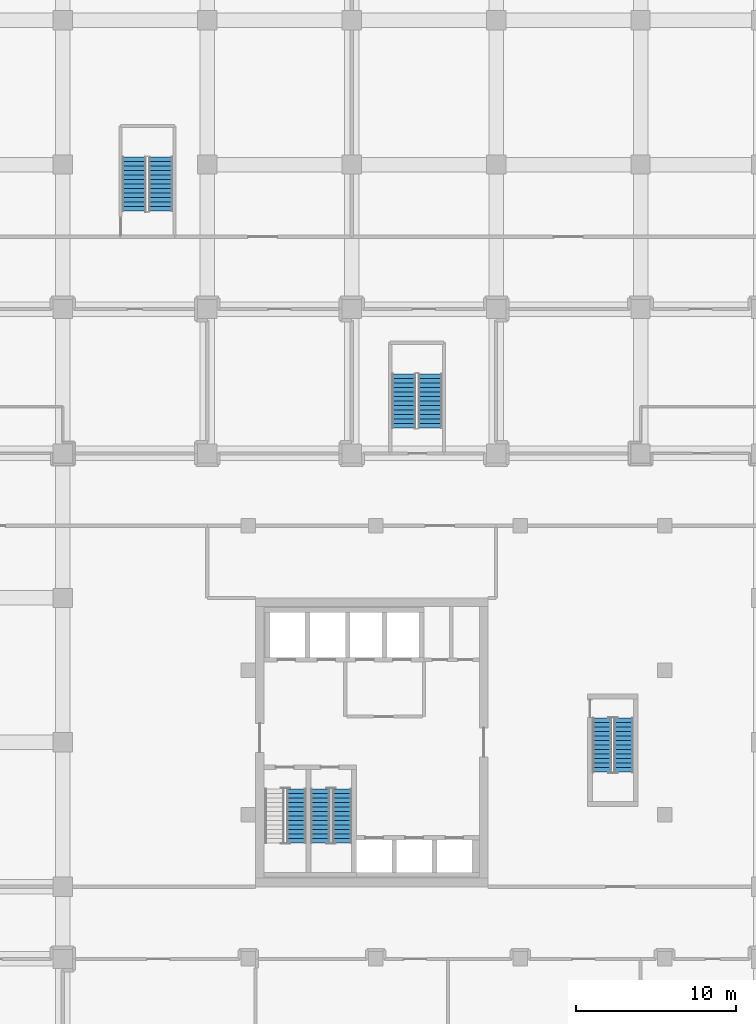
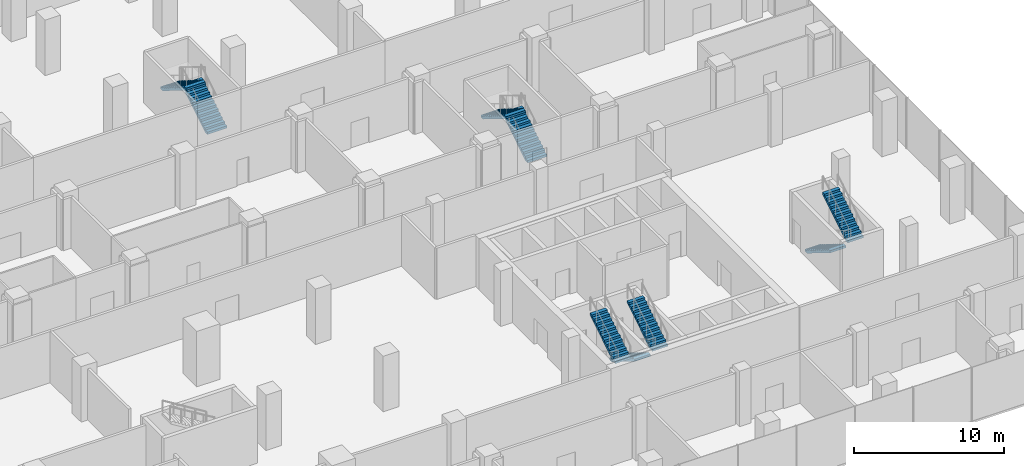
# One storey, part 38 of 43: 9 stair flights, 5 elements without a shape of their own.
"""IFC4 building model written with IfcOpenShell, lengths in metres."""

from ifc_helpers import new_model, si_unit, direction, frame, origin, place, context, subcontext, project, spatial, polyline, outline, extrude, material, type_object, element, aggregate, save


model = new_model("IFC4")

# Units and contexts
model_context = context("Model", 3, precision=1e-05, world=origin(), true_north=direction((0.0, 1.0)))
body_context = subcontext(model_context, "Body", "Model", "MODEL_VIEW")
ifc_project = project(units=[si_unit("LENGTHUNIT", "METRE"), si_unit("AREAUNIT", "SQUARE_METRE"), si_unit("VOLUMEUNIT", "CUBIC_METRE"), si_unit("PLANEANGLEUNIT", "RADIAN"), si_unit("MASSUNIT", "GRAM", prefix="KILO")], contexts=[model_context])

# Site, building, storey
site_placement = place(None, origin())
site = spatial("IfcSite", under=ifc_project, at=site_placement, CompositionType="ELEMENT")
building_placement = place(site_placement, origin())
building = spatial("IfcBuilding", under=site, at=building_placement, Name="Plateau Cross Towers", CompositionType="ELEMENT")
storey_placement = place(building_placement, frame((0.0, 0.0, 17.300048828125)))
storey = spatial("IfcBuildingStorey", under=building, at=storey_placement, Name="L03", CompositionType="ELEMENT", Elevation=17.300048828125)

# Stair, stair flights
ifc_material = material(Name="Concrete C40/50", Category="concrete")
stair_type_1 = type_object("IfcStairType", Name="Podium exit stair 1500", PredefinedType="HALF_TURN_STAIR", material=ifc_material)
stair_1_placement = place(storey_placement, origin())
stair_1 = element("IfcStair", 1, at=stair_1_placement, inside=storey, type_object=stair_type_1, Name="L03 Exit Stair 3", PredefinedType="HALF_TURN_STAIR")
stair_flight_type_1 = type_object("IfcStairFlightType", Name="Podium stair flight 1500", PredefinedType="STRAIGHT", material=ifc_material)
stair_flight_1_placement = place(storey_placement, frame((69.10009765625, 42.10009765625, 0.0), z_axis=(0.0, 0.0, 1.0), x_axis=(0.0, 1.0, 0.0)))
stair_flight_1 = element("IfcStairFlight", 2, at=stair_flight_1_placement, type_object=stair_flight_type_1, Name="PS3 flight 1", NumberOfRisers=13, NumberOfTreads=12, PredefinedType="STRAIGHT", RiserHeight=0.173076923, TreadLength=0.28, context=body_context, shape_type="SweptSolid", body=[
    extrude(outline(polyline([(-0.0048828125, -0.010009765625), (-0.0048828125, 0.0), (0.0, 0.0), (0.0, 0.173095703125), (0.280029296875, 0.173095703125), (0.280029296875, 0.34619140625), (0.56005859375, 0.34619140625), (0.56005859375, 0.519287109375), (0.840087890625, 0.519287109375), (0.840087890625, 0.6923828125), (1.1201171875, 0.6923828125), (1.1201171875, 0.865478515625), (1.39990234375, 0.865478515625), (1.39990234375, 1.03857421875), (1.679931640625, 1.03857421875), (1.679931640625, 1.21142578125), (1.9599609375, 1.21142578125), (1.9599609375, 1.384521484375), (2.239990234375, 1.384521484375), (2.239990234375, 1.5576171875), (2.52001953125, 1.5576171875), (2.52001953125, 1.730712890625), (2.800048828125, 1.730712890625), (2.800048828125, 1.90380859375), (3.080078125, 1.90380859375), (3.080078125, 2.076904296875), (3.360107421875, 2.076904296875), (3.364990234375, 2.06689453125), (3.364990234375, 1.900634765625), (3.360107421875, 1.900634765625), (0.28515625, 0.0), (0.02001953125, 0.0), (0.02001953125, -0.010009765625), (-0.0048828125, -0.010009765625)])), frame((0.0, 0.75, 0.0), z_axis=(0.0, -1.0, 0.0), x_axis=(1.0, 0.0, 0.0)), (0.0, 0.0, 1.0), 1.5),
])
stair_flight_2_placement = place(storey_placement, frame((67.449951171875, 45.4599609375, 2.25), z_axis=(0.0, 0.0, 1.0), x_axis=(0.0, -1.0, 0.0)))
stair_flight_2 = element("IfcStairFlight", 3, at=stair_flight_2_placement, type_object=stair_flight_type_1, Name="PS3 flight 2", NumberOfRisers=13, NumberOfTreads=12, PredefinedType="STRAIGHT", RiserHeight=0.173076923, TreadLength=0.28, context=body_context, shape_type="SweptSolid", body=[
    extrude(outline(polyline([(-0.0048828125, -0.010009765625), (-0.0048828125, 0.0), (0.0, 0.0), (0.0, 0.173095703125), (0.280029296875, 0.173095703125), (0.280029296875, 0.34619140625), (0.56005859375, 0.34619140625), (0.56005859375, 0.519287109375), (0.840087890625, 0.519287109375), (0.840087890625, 0.6923828125), (1.1201171875, 0.6923828125), (1.1201171875, 0.865478515625), (1.39990234375, 0.865478515625), (1.39990234375, 1.03857421875), (1.679931640625, 1.03857421875), (1.679931640625, 1.21142578125), (1.9599609375, 1.21142578125), (1.9599609375, 1.384521484375), (2.239990234375, 1.384521484375), (2.239990234375, 1.5576171875), (2.52001953125, 1.5576171875), (2.52001953125, 1.730712890625), (2.800048828125, 1.730712890625), (2.800048828125, 1.90380859375), (3.080078125, 1.90380859375), (3.080078125, 2.076904296875), (3.360107421875, 2.076904296875), (3.364990234375, 2.06689453125), (3.364990234375, 1.900634765625), (3.360107421875, 1.900634765625), (0.28515625, 0.0), (0.02001953125, 0.0), (0.02001953125, -0.010009765625), (-0.0048828125, -0.010009765625)])), frame((0.0, 0.75, 0.0), z_axis=(0.0, -1.0, 0.0), x_axis=(1.0, 0.0, 0.0)), (0.0, 0.0, 1.0), 1.5),
])
aggregate(stair_1, [stair_flight_1, stair_flight_2])

stair_2_placement = place(storey_placement, origin())
stair_2 = element("IfcStair", 4, at=stair_2_placement, inside=storey, type_object=stair_type_1, Name="L03 Exit Stair 5", PredefinedType="HALF_TURN_STAIR")
stair_flight_3_placement = place(storey_placement, frame((85.89990234375, 28.60009765625, 0.0), z_axis=(0.0, 0.0, 1.0), x_axis=(0.0, 1.0, 0.0)))
stair_flight_3 = element("IfcStairFlight", 5, at=stair_flight_3_placement, type_object=stair_flight_type_1, Name="PS5 flight 1", NumberOfRisers=13, NumberOfTreads=12, PredefinedType="STRAIGHT", RiserHeight=0.173076923, TreadLength=0.28, context=body_context, shape_type="SweptSolid", body=[
    extrude(outline(polyline([(-0.0048828125, -0.010009765625), (-0.0048828125, 0.0), (0.0, 0.0), (0.0, 0.173095703125), (0.280029296875, 0.173095703125), (0.280029296875, 0.34619140625), (0.56005859375, 0.34619140625), (0.56005859375, 0.519287109375), (0.840087890625, 0.519287109375), (0.840087890625, 0.6923828125), (1.1201171875, 0.6923828125), (1.1201171875, 0.865478515625), (1.39990234375, 0.865478515625), (1.39990234375, 1.03857421875), (1.679931640625, 1.03857421875), (1.679931640625, 1.21142578125), (1.9599609375, 1.21142578125), (1.9599609375, 1.384521484375), (2.239990234375, 1.384521484375), (2.239990234375, 1.5576171875), (2.52001953125, 1.5576171875), (2.52001953125, 1.730712890625), (2.800048828125, 1.730712890625), (2.800048828125, 1.90380859375), (3.080078125, 1.90380859375), (3.080078125, 2.076904296875), (3.360107421875, 2.076904296875), (3.364990234375, 2.06689453125), (3.364990234375, 1.900634765625), (3.360107421875, 1.900634765625), (0.28515625, 0.0), (0.02001953125, 0.0), (0.02001953125, -0.010009765625), (-0.0048828125, -0.010009765625)])), frame((0.0, 0.75, 0.0), z_axis=(0.0, -1.0, 0.0), x_axis=(1.0, 0.0, 0.0)), (0.0, 0.0, 1.0), 1.5),
])
stair_flight_4_placement = place(storey_placement, frame((84.25, 31.9599609375, 2.25), z_axis=(0.0, 0.0, 1.0), x_axis=(0.0, -1.0, 0.0)))
stair_flight_4 = element("IfcStairFlight", 6, at=stair_flight_4_placement, type_object=stair_flight_type_1, Name="PS5 flight 2", NumberOfRisers=13, NumberOfTreads=12, PredefinedType="STRAIGHT", RiserHeight=0.173076923, TreadLength=0.28, context=body_context, shape_type="SweptSolid", body=[
    extrude(outline(polyline([(-0.0048828125, -0.010009765625), (-0.0048828125, 0.0), (0.0, 0.0), (0.0, 0.173095703125), (0.280029296875, 0.173095703125), (0.280029296875, 0.34619140625), (0.56005859375, 0.34619140625), (0.56005859375, 0.519287109375), (0.840087890625, 0.519287109375), (0.840087890625, 0.6923828125), (1.1201171875, 0.6923828125), (1.1201171875, 0.865478515625), (1.39990234375, 0.865478515625), (1.39990234375, 1.03857421875), (1.679931640625, 1.03857421875), (1.679931640625, 1.21142578125), (1.9599609375, 1.21142578125), (1.9599609375, 1.384521484375), (2.239990234375, 1.384521484375), (2.239990234375, 1.5576171875), (2.52001953125, 1.5576171875), (2.52001953125, 1.730712890625), (2.800048828125, 1.730712890625), (2.800048828125, 1.90380859375), (3.080078125, 1.90380859375), (3.080078125, 2.076904296875), (3.360107421875, 2.076904296875), (3.364990234375, 2.06689453125), (3.364990234375, 1.900634765625), (3.360107421875, 1.900634765625), (0.28515625, 0.0), (0.02001953125, 0.0), (0.02001953125, -0.010009765625), (-0.0048828125, -0.010009765625)])), frame((0.0, 0.75, 0.0), z_axis=(0.0, -1.0, 0.0), x_axis=(1.0, 0.0, 0.0)), (0.0, 0.0, 1.0), 1.5),
])
aggregate(stair_2, [stair_flight_3, stair_flight_4])

# Stair, stair flight
stair_type_2 = type_object("IfcStairType", Name="ST-TWR", PredefinedType="HALF_TURN_STAIR", material=ifc_material)
stair_3_placement = place(storey_placement, origin())
stair_3 = element("IfcStair", 7, at=stair_3_placement, inside=storey, type_object=stair_type_2, Name="L03 Protected Exit Stair SB-1", PredefinedType="HALF_TURN_STAIR")
stair_flight_type_2 = type_object("IfcStairFlightType", Name="SFL-RC", PredefinedType="STRAIGHT", material=ifc_material)
stair_flight_5_placement = place(storey_placement, frame((77.550048828125, 2.739990234375, 2.25), z_axis=(0.0, 0.0, 1.0), x_axis=(0.0, 1.0, 0.0)))
stair_flight_5 = element("IfcStairFlight", 8, at=stair_flight_5_placement, type_object=stair_flight_type_2, Name="SB-1 flight 2", NumberOfRisers=13, NumberOfTreads=12, PredefinedType="STRAIGHT", RiserHeight=0.173076923, TreadLength=0.28, context=body_context, shape_type="SweptSolid", body=[
    extrude(outline(polyline([(-0.0048828125, -0.010009765625), (-0.0048828125, 0.0), (0.0, 0.0), (0.0, 0.173095703125), (0.280029296875, 0.173095703125), (0.280029296875, 0.34619140625), (0.56005859375, 0.34619140625), (0.56005859375, 0.519287109375), (0.840087890625, 0.519287109375), (0.840087890625, 0.6923828125), (1.1201171875, 0.6923828125), (1.1201171875, 0.865478515625), (1.39990234375, 0.865478515625), (1.39990234375, 1.03857421875), (1.679931640625, 1.03857421875), (1.679931640625, 1.21142578125), (1.9599609375, 1.21142578125), (1.9599609375, 1.384521484375), (2.239990234375, 1.384521484375), (2.239990234375, 1.5576171875), (2.52001953125, 1.5576171875), (2.52001953125, 1.730712890625), (2.800048828125, 1.730712890625), (2.800048828125, 1.90380859375), (3.080078125, 1.90380859375), (3.080078125, 2.076904296875), (3.360107421875, 2.076904296875), (3.364990234375, 2.06689453125), (3.364990234375, 1.900634765625), (3.360107421875, 1.900634765625), (0.28515625, 0.0), (0.02001953125, 0.0), (0.02001953125, -0.010009765625), (-0.0048828125, -0.010009765625)])), frame((0.0, 0.60009765625, 0.0), z_axis=(0.0, -1.0, 0.0), x_axis=(1.0, 0.0, 0.0)), (0.0, 0.0, 1.0), 1.199951171875),
])
aggregate(stair_3, [stair_flight_5])

# Stair, stair flights
stair_4_placement = place(storey_placement, origin())
stair_4 = element("IfcStair", 9, at=stair_4_placement, inside=storey, type_object=stair_type_2, Name="L03 Protected Exit Stair SB-2", PredefinedType="HALF_TURN_STAIR")
stair_flight_6_placement = place(storey_placement, frame((79.050048828125, 6.10009765625, 0.0), z_axis=(0.0, 0.0, 1.0), x_axis=(0.0, -1.0, 0.0)))
stair_flight_6 = element("IfcStairFlight", 10, at=stair_flight_6_placement, type_object=stair_flight_type_2, Name="SB-2 flight 1", NumberOfRisers=13, NumberOfTreads=12, PredefinedType="STRAIGHT", RiserHeight=0.173076923, TreadLength=0.28, context=body_context, shape_type="SweptSolid", body=[
    extrude(outline(polyline([(-0.0048828125, -0.010009765625), (-0.0048828125, 0.0), (0.0, 0.0), (0.0, 0.173095703125), (0.280029296875, 0.173095703125), (0.280029296875, 0.34619140625), (0.56005859375, 0.34619140625), (0.56005859375, 0.519287109375), (0.840087890625, 0.519287109375), (0.840087890625, 0.6923828125), (1.1201171875, 0.6923828125), (1.1201171875, 0.865478515625), (1.39990234375, 0.865478515625), (1.39990234375, 1.03857421875), (1.679931640625, 1.03857421875), (1.679931640625, 1.21142578125), (1.9599609375, 1.21142578125), (1.9599609375, 1.384521484375), (2.239990234375, 1.384521484375), (2.239990234375, 1.5576171875), (2.52001953125, 1.5576171875), (2.52001953125, 1.730712890625), (2.800048828125, 1.730712890625), (2.800048828125, 1.90380859375), (3.080078125, 1.90380859375), (3.080078125, 2.076904296875), (3.360107421875, 2.076904296875), (3.364990234375, 2.06689453125), (3.364990234375, 1.900634765625), (3.360107421875, 1.900634765625), (0.28515625, 0.0), (0.02001953125, 0.0), (0.02001953125, -0.010009765625), (-0.0048828125, -0.010009765625)])), frame((0.0, 0.60009765625, 0.0), z_axis=(0.0, -1.0, 0.0), x_axis=(1.0, 0.0, 0.0)), (0.0, 0.0, 1.0), 1.199951171875),
])
stair_flight_7_placement = place(storey_placement, frame((80.39990234375, 2.739990234375, 2.25), z_axis=(0.0, 0.0, 1.0), x_axis=(0.0, 1.0, 0.0)))
stair_flight_7 = element("IfcStairFlight", 11, at=stair_flight_7_placement, type_object=stair_flight_type_2, Name="SB-2 flight 2", NumberOfRisers=13, NumberOfTreads=12, PredefinedType="STRAIGHT", RiserHeight=0.173076923, TreadLength=0.28, context=body_context, shape_type="SweptSolid", body=[
    extrude(outline(polyline([(-0.0048828125, -0.010009765625), (-0.0048828125, 0.0), (0.0, 0.0), (0.0, 0.173095703125), (0.280029296875, 0.173095703125), (0.280029296875, 0.34619140625), (0.56005859375, 0.34619140625), (0.56005859375, 0.519287109375), (0.840087890625, 0.519287109375), (0.840087890625, 0.6923828125), (1.1201171875, 0.6923828125), (1.1201171875, 0.865478515625), (1.39990234375, 0.865478515625), (1.39990234375, 1.03857421875), (1.679931640625, 1.03857421875), (1.679931640625, 1.21142578125), (1.9599609375, 1.21142578125), (1.9599609375, 1.384521484375), (2.239990234375, 1.384521484375), (2.239990234375, 1.5576171875), (2.52001953125, 1.5576171875), (2.52001953125, 1.730712890625), (2.800048828125, 1.730712890625), (2.800048828125, 1.90380859375), (3.080078125, 1.90380859375), (3.080078125, 2.076904296875), (3.360107421875, 2.076904296875), (3.364990234375, 2.06689453125), (3.364990234375, 1.900634765625), (3.360107421875, 1.900634765625), (0.28515625, 0.0), (0.02001953125, 0.0), (0.02001953125, -0.010009765625), (-0.0048828125, -0.010009765625)])), frame((0.0, 0.60009765625, 0.0), z_axis=(0.0, -1.0, 0.0), x_axis=(1.0, 0.0, 0.0)), (0.0, 0.0, 1.0), 1.199951171875),
])
aggregate(stair_4, [stair_flight_6, stair_flight_7])

stair_5_placement = place(storey_placement, origin())
stair_5 = element("IfcStair", 12, at=stair_5_placement, inside=storey, type_object=stair_type_2, Name="L03 Protected Exit Stair SB-3", PredefinedType="HALF_TURN_STAIR")
stair_flight_8_placement = place(storey_placement, frame((96.60009765625, 10.5, 0.0), z_axis=(0.0, 0.0, 1.0), x_axis=(0.0, -1.0, 0.0)))
stair_flight_8 = element("IfcStairFlight", 13, at=stair_flight_8_placement, type_object=stair_flight_type_2, Name="SB-3 flight 1", NumberOfRisers=13, NumberOfTreads=12, PredefinedType="STRAIGHT", RiserHeight=0.173076923, TreadLength=0.28, context=body_context, shape_type="SweptSolid", body=[
    extrude(outline(polyline([(-0.0048828125, -0.010009765625), (-0.0048828125, 0.0), (0.0, 0.0), (0.0, 0.173095703125), (0.280029296875, 0.173095703125), (0.280029296875, 0.34619140625), (0.56005859375, 0.34619140625), (0.56005859375, 0.519287109375), (0.840087890625, 0.519287109375), (0.840087890625, 0.6923828125), (1.1201171875, 0.6923828125), (1.1201171875, 0.865478515625), (1.39990234375, 0.865478515625), (1.39990234375, 1.03857421875), (1.679931640625, 1.03857421875), (1.679931640625, 1.21142578125), (1.9599609375, 1.21142578125), (1.9599609375, 1.384521484375), (2.239990234375, 1.384521484375), (2.239990234375, 1.5576171875), (2.52001953125, 1.5576171875), (2.52001953125, 1.730712890625), (2.800048828125, 1.730712890625), (2.800048828125, 1.90380859375), (3.080078125, 1.90380859375), (3.080078125, 2.076904296875), (3.360107421875, 2.076904296875), (3.364990234375, 2.06689453125), (3.364990234375, 1.900634765625), (3.360107421875, 1.900634765625), (0.28515625, 0.0), (0.02001953125, 0.0), (0.02001953125, -0.010009765625), (-0.0048828125, -0.010009765625)])), frame((0.0, 0.60009765625, 0.0), z_axis=(0.0, -1.0, 0.0), x_axis=(1.0, 0.0, 0.0)), (0.0, 0.0, 1.0), 1.199951171875),
])
stair_flight_9_placement = place(storey_placement, frame((97.949951171875, 7.139892578125, 2.25), z_axis=(0.0, 0.0, 1.0), x_axis=(0.0, 1.0, 0.0)))
stair_flight_9 = element("IfcStairFlight", 14, at=stair_flight_9_placement, type_object=stair_flight_type_2, Name="SB-3 flight 2", NumberOfRisers=13, NumberOfTreads=12, PredefinedType="STRAIGHT", RiserHeight=0.173076923, TreadLength=0.28, context=body_context, shape_type="SweptSolid", body=[
    extrude(outline(polyline([(-0.0048828125, -0.010009765625), (-0.0048828125, 0.0), (0.0, 0.0), (0.0, 0.173095703125), (0.280029296875, 0.173095703125), (0.280029296875, 0.34619140625), (0.56005859375, 0.34619140625), (0.56005859375, 0.519287109375), (0.840087890625, 0.519287109375), (0.840087890625, 0.6923828125), (1.1201171875, 0.6923828125), (1.1201171875, 0.865478515625), (1.39990234375, 0.865478515625), (1.39990234375, 1.03857421875), (1.679931640625, 1.03857421875), (1.679931640625, 1.21142578125), (1.9599609375, 1.21142578125), (1.9599609375, 1.384521484375), (2.239990234375, 1.384521484375), (2.239990234375, 1.5576171875), (2.52001953125, 1.5576171875), (2.52001953125, 1.730712890625), (2.800048828125, 1.730712890625), (2.800048828125, 1.90380859375), (3.080078125, 1.90380859375), (3.080078125, 2.076904296875), (3.360107421875, 2.076904296875), (3.364990234375, 2.06689453125), (3.364990234375, 1.900634765625), (3.360107421875, 1.900634765625), (0.28515625, 0.0), (0.02001953125, 0.0), (0.02001953125, -0.010009765625), (-0.0048828125, -0.010009765625)])), frame((0.0, 0.60009765625, 0.0), z_axis=(0.0, -1.0, 0.0), x_axis=(1.0, 0.0, 0.0)), (0.0, 0.0, 1.0), 1.199951171875),
])
aggregate(stair_5, [stair_flight_8, stair_flight_9])

save(model, "model.ifc")
